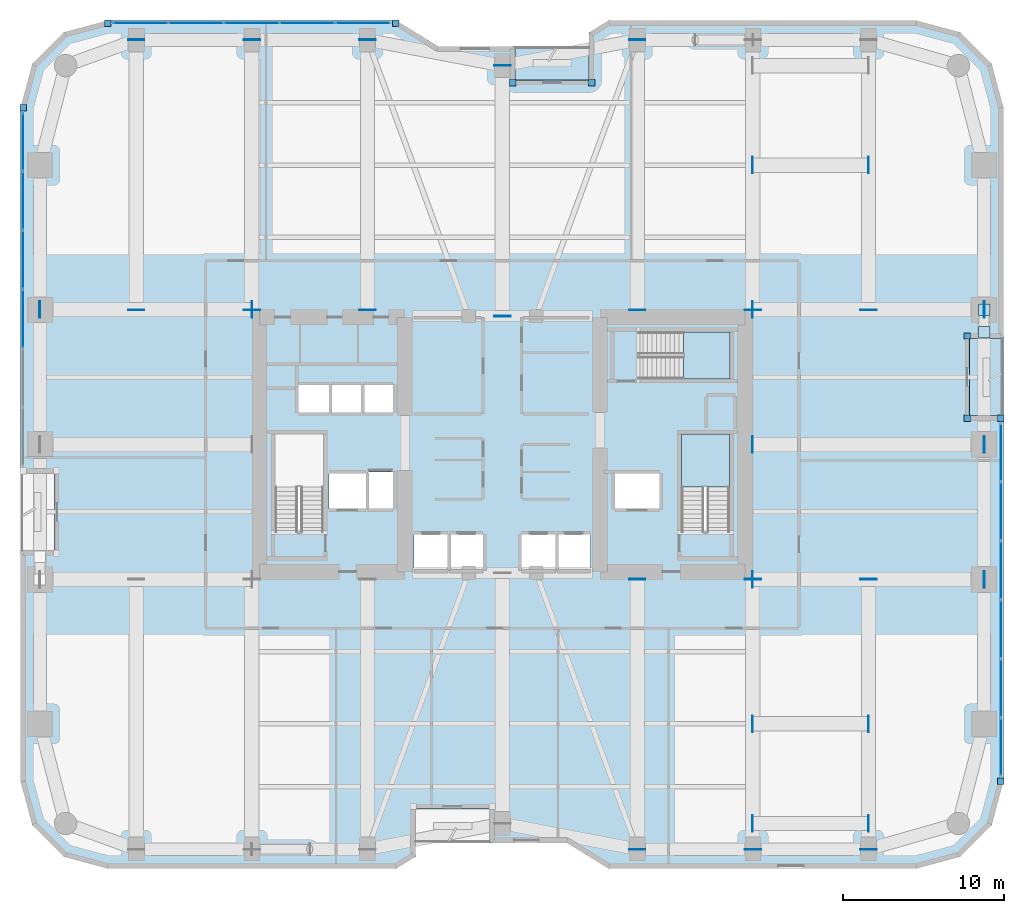
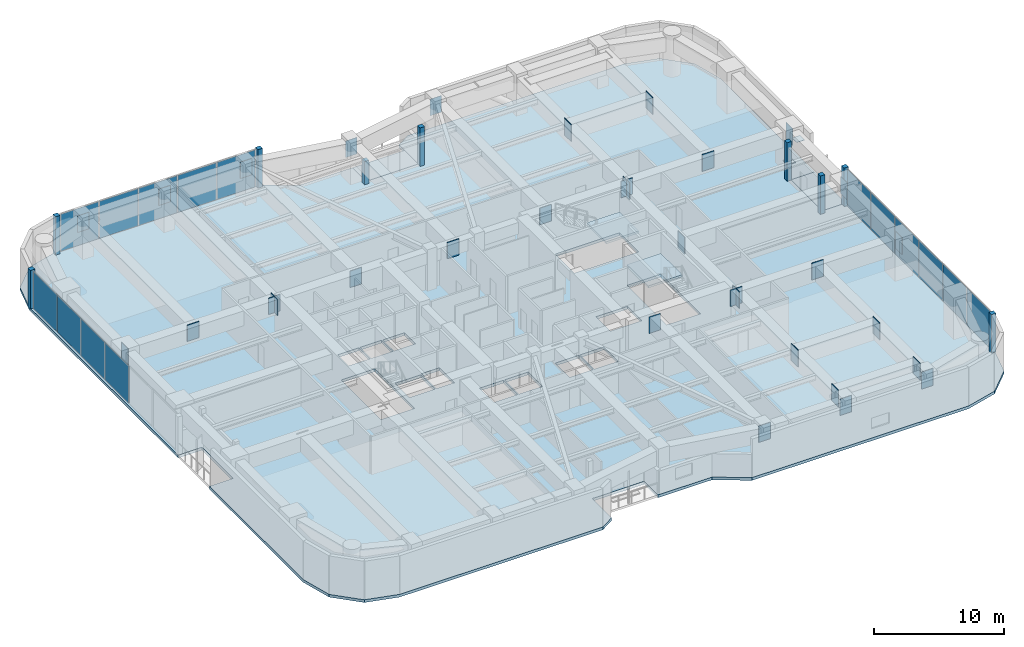
# One storey, part 20 of 28: 58 plates, 5 slabs, 5 elements without a shape of their own.
"""IFC4 building model written with IfcOpenShell, lengths in metres."""

import ifcopenshell
import ifcopenshell.guid

model = None  # the IFC model being written
_history = None  # IfcOwnerHistory: only IFC2X3 demands one
_inside = {}  # id of a spatial element -> (the spatial element, [elements in it])
_under = {}  # id of a project, library or spatial element -> (it, [spatial elements below it])
_declared = {}  # id of a project -> (the project, [libraries it declares])
_typed = {}  # id of a type object -> (the type object, [elements of that type])
_made_of = {}  # id of a material, layer set ... -> (it, [elements and type objects made of it])


def new_model(schema):
    """Start an empty IFC model of exactly this schema.

    Asked for "IFC4X3", IfcOpenShell would pick the latest addendum, in which some entities
    have other attributes; the version numbers below select the first issue.
    IFC2X3 requires an IfcOwnerHistory on every rooted entity: one is made here for all.
    """
    global model, _history
    if schema == "IFC4X3":
        model = ifcopenshell.file(schema_version=(4, 3, 0, 0))
    else:
        model = ifcopenshell.file(schema=schema)
    _inside.clear()
    _under.clear()
    _declared.clear()
    _typed.clear()
    _made_of.clear()
    _history = None
    if model.schema == "IFC2X3":
        org = make("IfcOrganization", Name="unknown")
        user = make(
            "IfcPersonAndOrganization",
            ThePerson=make("IfcPerson", FamilyName="unknown"),
            TheOrganization=org,
        )
        app = make(
            "IfcApplication",
            ApplicationDeveloper=org,
            Version="unknown",
            ApplicationFullName="unknown",
            ApplicationIdentifier="unknown",
        )
        _history = make(
            "IfcOwnerHistory",
            OwningUser=user,
            OwningApplication=app,
            ChangeAction="ADDED",
            CreationDate=0,
        )
    return model


def make(cls, **values):
    """One entity of the class cls with the attributes given. An attribute that is None is left unset."""
    return model.create_entity(
        cls, **{name: value for name, value in values.items() if value is not None}
    )


def rooted(cls, **values):
    """An entity with a GlobalId (a new one), such as an element, a storey or a relation."""
    return make(cls, GlobalId=ifcopenshell.guid.new(), OwnerHistory=_history, **values)


def si_unit(unit_type, name, prefix=None):
    """IfcSIUnit, for example si_unit("LENGTHUNIT", "METRE", prefix="MILLI")."""
    return make("IfcSIUnit", UnitType=unit_type, Prefix=prefix, Name=name)


def assignment(units):
    """IfcUnitAssignment: the units of a project."""
    return None if units is None else make("IfcUnitAssignment", Units=units)


def point(xyz):
    """IfcCartesianPoint."""
    return None if xyz is None else make("IfcCartesianPoint", Coordinates=xyz)


def direction(xyz):
    """IfcDirection."""
    return None if xyz is None else make("IfcDirection", DirectionRatios=xyz)


def frame(location, z_axis=None, x_axis=None):
    """IfcAxis2Placement3D, a coordinate frame: its origin and axes. An axis left out is left unset."""
    return make(
        "IfcAxis2Placement3D",
        Location=point(location),
        Axis=direction(z_axis),
        RefDirection=direction(x_axis),
    )


def frame_2d(location, x_axis=None):
    """IfcAxis2Placement2D, a coordinate frame in the plane: its origin and x axis."""
    return make(
        "IfcAxis2Placement2D", Location=point(location), RefDirection=direction(x_axis)
    )


def origin():
    """The frame at (0, 0, 0) with its axes left unset."""
    return frame((0.0, 0.0, 0.0))


def origin_2d():
    """The frame at (0, 0) in the plane with its x axis left unset."""
    return frame_2d((0.0, 0.0))


def place(relative_to, where):
    """IfcLocalPlacement: puts the frame where relative to a parent placement (None: the world)."""
    return make(
        "IfcLocalPlacement", PlacementRelTo=relative_to, RelativePlacement=where
    )


def context(
    kind, dimensions, precision=None, world=None, true_north=None, identifier=None
):
    """IfcGeometricRepresentationContext, for example the 3D "Model" context."""
    return make(
        "IfcGeometricRepresentationContext",
        ContextIdentifier=identifier,
        ContextType=kind,
        CoordinateSpaceDimension=dimensions,
        Precision=precision,
        WorldCoordinateSystem=world,
        TrueNorth=true_north,
    )


def subcontext(parent, identifier, kind, view, scale=None):
    """IfcGeometricRepresentationSubContext, for example "Body" below "Model"."""
    return make(
        "IfcGeometricRepresentationSubContext",
        ContextIdentifier=identifier,
        ContextType=kind,
        ParentContext=parent,
        TargetScale=scale,
        TargetView=view,
    )


def project(units=None, contexts=None):
    """IfcProject with its units and contexts."""
    return rooted(
        "IfcProject",
        Name="project",
        RepresentationContexts=contexts,
        UnitsInContext=assignment(units),
    )


def spatial(cls, under=None, at=None, **own):
    """A site, building, storey or space (cls), placed at a placement, below another one or the project."""
    s = rooted(cls, ObjectPlacement=at, **own)
    if under is not None:
        _under.setdefault(under.id(), (under, []))[1].append(s)
    return s


def polyline(points):
    """IfcPolyline through the points."""
    return make("IfcPolyline", Points=[point(p) for p in points])


def profile(cls, at=None, kind="AREA", **sizes):
    """A parametric profile (cls). Its sizes go by their IFC names, for example OverallWidth=200.0."""
    return make(cls, ProfileType=kind, Position=at, **sizes)


def rectangle(**sizes):
    """IfcRectangleProfileDef."""
    return profile("IfcRectangleProfileDef", **sizes)


def outline(outer, holes=None, kind="AREA"):
    """IfcArbitraryClosedProfileDef: a profile drawn as a closed curve; with holes, ...WithVoids."""
    if holes is None:
        return make("IfcArbitraryClosedProfileDef", ProfileType=kind, OuterCurve=outer)
    return make(
        "IfcArbitraryProfileDefWithVoids",
        ProfileType=kind,
        OuterCurve=outer,
        InnerCurves=holes,
    )


def extrude(swept, where, along, depth):
    """IfcExtrudedAreaSolid: the profile swept, set in the frame where, extruded along a direction by depth."""
    return make(
        "IfcExtrudedAreaSolid",
        SweptArea=swept,
        Position=where,
        ExtrudedDirection=direction(along),
        Depth=depth,
    )


def shape(context_of_items, identifier, shape_type, items):
    """IfcShapeRepresentation: the items that make up one representation, for example the "Body"."""
    return make(
        "IfcShapeRepresentation",
        ContextOfItems=context_of_items,
        RepresentationIdentifier=identifier,
        RepresentationType=shape_type,
        Items=items,
    )


def material(Name=None, Category=None):
    """IfcMaterial."""
    return make("IfcMaterial", Name=Name, Category=Category)


def layer(
    of_material, thickness, ventilated=None, Name=None, Category=None, Priority=None
):
    """IfcMaterialLayer: one layer of a wall or slab, of a material (None: an air gap)."""
    return make(
        "IfcMaterialLayer",
        Material=of_material,
        LayerThickness=thickness,
        IsVentilated=ventilated,
        Name=Name,
        Category=Category,
        Priority=Priority,
    )


def layer_set(layers, Name=None):
    """IfcMaterialLayerSet."""
    return make("IfcMaterialLayerSet", MaterialLayers=layers, LayerSetName=Name)


def made_of(thing, what):
    """Note that an element or type object is made of a material, layer set ...; save() writes the relation."""
    if what is not None:
        _made_of.setdefault(what.id(), (what, []))[1].append(thing)
    return thing


def type_object(cls, material=None, **own):
    """A type object (cls), such as IfcWallType, which elements share."""
    return made_of(rooted(cls, **own), material)


def element(
    cls,
    number,
    at=None,
    inside=None,
    cuts=None,
    type_object=None,
    material=None,
    context=None,
    identifier="Body",
    shape_type=None,
    held_by="IfcProductDefinitionShape",
    body=None,
    shapes=None,
    **own,
):
    """One element of the class cls, such as IfcWall. Its Tag is "e" and its number.

    at: its placement. inside: the storey or other place that contains it. cuts: it is an
    opening in that element (IfcRelVoidsElement). A single representation is given by context,
    identifier, shape_type and body (its items); several are given by shapes. held_by: the class
    of the entity that holds the representations. save() writes the other relations.
    """
    e = rooted(cls, Tag="e%d" % number, ObjectPlacement=at, **own)
    if body is not None:
        shapes = [shape(context, identifier, shape_type, body)]
    if shapes is not None:
        e.Representation = make(held_by, Representations=shapes)
    if inside is not None:
        _inside.setdefault(inside.id(), (inside, []))[1].append(e)
    if cuts is not None:
        rooted(
            "IfcRelVoidsElement", RelatingBuildingElement=cuts, RelatedOpeningElement=e
        )
    if type_object is not None:
        _typed.setdefault(type_object.id(), (type_object, []))[1].append(e)
    return made_of(e, material)


def aggregate(whole, parts):
    """IfcRelAggregates: a whole, such as a stair, and the parts it consists of."""
    return rooted("IfcRelAggregates", RelatingObject=whole, RelatedObjects=parts)


def save(model, path):
    """Write the relations noted so far, then the file.

    IfcRelAggregates (storeys below a building ...), IfcRelContainedInSpatialStructure (elements
    in a storey), IfcRelDefinesByType, IfcRelAssociatesMaterial and IfcRelDeclares: one each for
    every whole, place, type object, material and project.
    """
    for whole, parts in _under.values():
        aggregate(whole, parts)
    for where, things in _inside.values():
        rooted(
            "IfcRelContainedInSpatialStructure",
            RelatedElements=things,
            RelatingStructure=where,
        )
    for kind, things in _typed.values():
        rooted("IfcRelDefinesByType", RelatedObjects=things, RelatingType=kind)
    for what, things in _made_of.values():
        rooted("IfcRelAssociatesMaterial", RelatedObjects=things, RelatingMaterial=what)
    for by, libraries in _declared.values():
        rooted("IfcRelDeclares", RelatingContext=by, RelatedDefinitions=libraries)
    model.write(path)


model = new_model("IFC4")

# Units and contexts
model_context = context("Model", 3, precision=1e-05, world=origin(), true_north=direction((0.0, 1.0)))
body_context = subcontext(model_context, "Body", "Model", "MODEL_VIEW")
ifc_project = project(units=[si_unit("LENGTHUNIT", "METRE"), si_unit("AREAUNIT", "SQUARE_METRE"), si_unit("VOLUMEUNIT", "CUBIC_METRE"), si_unit("PLANEANGLEUNIT", "RADIAN"), si_unit("MASSUNIT", "GRAM", prefix="KILO")], contexts=[model_context])

# Site, building, storey
site_placement = place(None, origin())
site = spatial("IfcSite", under=ifc_project, at=site_placement, CompositionType="ELEMENT")
building_placement = place(site_placement, origin())
building = spatial("IfcBuilding", under=site, at=building_placement, Name="Kiyonajd Concourse Tower", CompositionType="ELEMENT")
storey_placement = place(building_placement, frame((0.0, 0.0, 76.800048828125)))
storey = spatial("IfcBuildingStorey", under=building, at=storey_placement, Name="L20", CompositionType="ELEMENT", Elevation=76.800048828125)

# Plates
ifc_material_1 = material(Name="Steel ASTM A572 Grade 50", Category="steel")
ifc_layer_1 = layer(ifc_material_1, 0.028076171875)
ifc_layer_set_1 = layer_set([ifc_layer_1], Name="Steel ASTM A572 Grade 50")
plate_type_1 = type_object("IfcPlateType", Name="PL-CAP-450", PredefinedType="USERDEFINED", material=ifc_layer_set_1)
for number, where, z_axis, x_axis, name in (
    (1, (78.0, 44.40478515625, 0.27587890625), (0.0, 0.0, 1.0), (1.0, 0.0, 0.0), "L20 Hollow Brace End Cap Plate PBE"),
    (2, (78.0, 42.995361328125, 3.24560546875), (0.0, 0.0, 1.0), (1.0, 0.0, 0.0), "L20 Hollow Brace Top Cap Plate PBE"),
):
    element("IfcPlate", number, at=place(storey_placement, frame(where, z_axis=z_axis, x_axis=x_axis)), inside=storey, type_object=plate_type_1, Name=name, ObjectType="CAP PLATE", PredefinedType="USERDEFINED", context=body_context, shape_type="SweptSolid", body=[
        extrude(rectangle(XDim=0.7099609375, YDim=0.7099609375, at=origin_2d()), origin(), (0.0, 0.0, 1.0), 0.028076171875),
    ])
ifc_layer_2 = layer(ifc_material_1, 0.031982421875)
ifc_layer_set_2 = layer_set([ifc_layer_2], Name="Steel ASTM A572 Grade 50")
plate_type_2 = type_object("IfcPlateType", Name="PL-CAP-540", PredefinedType="USERDEFINED", material=ifc_layer_set_2)
for number, where, z_axis, x_axis, name in (
    (3, (63.589111328125, 12.39990234375, 2.080078125), (0.0, 0.0, 1.0), (-1.0, 0.0, 0.0), "L20 Transfer Box Cap Plate"),
    (4, (70.81103515625, 12.39990234375, 2.080078125), (0.0, 0.0, 1.0), (1.0, 0.0, 0.0), "L20 Transfer Box Cap Plate"),
    (5, (63.589111328125, 18.60009765625, 2.080078125), (0.0, 0.0, 1.0), (-1.0, 0.0, 0.0), "L20 Transfer Box Cap Plate"),
    (6, (70.81103515625, 18.60009765625, 2.080078125), (0.0, 0.0, 1.0), (1.0, 0.0, 0.0), "L20 Transfer Box Cap Plate"),
    (7, (63.589111328125, 53.39990234375, 2.080078125), (0.0, 0.0, 1.0), (-1.0, 0.0, 0.0), "L20 Transfer Box Cap Plate"),
    (8, (70.81103515625, 53.39990234375, 2.080078125), (0.0, 0.0, 1.0), (1.0, 0.0, 0.0), "L20 Transfer Box Cap Plate"),
):
    element("IfcPlate", number, at=place(storey_placement, frame(where, z_axis=z_axis, x_axis=x_axis)), inside=storey, type_object=plate_type_2, Name=name, ObjectType="CAP PLATE", PredefinedType="USERDEFINED", context=body_context, shape_type="SweptSolid", body=[
        extrude(rectangle(XDim=0.035888671875, YDim=1.02001953125, at=origin_2d()), origin(), (0.0, 0.0, 1.0), 1.590087890625),
    ])
for number, where, z_axis, x_axis, name in (
    (9, (25.199951171875, 44.388916015625, 2.1298828125), (0.0, 0.0, 1.0), (0.0, -1.0, 0.0), "L20 Welded Box Girder End Cap"),
    (10, (25.199951171875, 61.2109375, 2.1298828125), (0.0, 0.0, 1.0), (0.0, 1.0, 0.0), "L20 Welded Box Girder End Cap"),
    (11, (32.39990234375, 44.388916015625, 2.1298828125), (0.0, 0.0, 1.0), (0.0, -1.0, 0.0), "L20 Welded Box Girder End Cap"),
    (12, (32.39990234375, 61.2109375, 2.1298828125), (0.0, 0.0, 1.0), (0.0, 1.0, 0.0), "L20 Welded Box Girder End Cap"),
    (13, (39.60009765625, 44.388916015625, 2.1298828125), (0.0, 0.0, 1.0), (0.0, -1.0, 0.0), "L20 Welded Box Girder End Cap"),
    (14, (39.60009765625, 61.2109375, 2.1298828125), (0.0, 0.0, 1.0), (0.0, 1.0, 0.0), "L20 Welded Box Girder End Cap"),
    (15, (56.39990234375, 10.7890625, 2.1298828125), (0.0, 0.0, 1.0), (0.0, -1.0, 0.0), "L20 Welded Box Girder End Cap"),
    (16, (56.39990234375, 27.611083984375, 2.1298828125), (0.0, 0.0, 1.0), (0.0, 1.0, 0.0), "L20 Welded Box Girder End Cap"),
    (17, (56.39990234375, 44.388916015625, 2.1298828125), (0.0, 0.0, 1.0), (0.0, -1.0, 0.0), "L20 Welded Box Girder End Cap"),
    (18, (56.39990234375, 61.2109375, 2.1298828125), (0.0, 0.0, 1.0), (0.0, 1.0, 0.0), "L20 Welded Box Girder End Cap"),
    (19, (63.60009765625, 10.7890625, 2.1298828125), (0.0, 0.0, 1.0), (0.0, -1.0, 0.0), "L20 Welded Box Girder End Cap"),
    (20, (63.60009765625, 27.611083984375, 2.1298828125), (0.0, 0.0, 1.0), (0.0, 1.0, 0.0), "L20 Welded Box Girder End Cap"),
    (21, (63.60009765625, 44.388916015625, 2.1298828125), (0.0, 0.0, 1.0), (0.0, -1.0, 0.0), "L20 Welded Box Girder End Cap"),
):
    element("IfcPlate", number, at=place(storey_placement, frame(where, z_axis=z_axis, x_axis=x_axis)), inside=storey, type_object=plate_type_2, Name=name, ObjectType="CAP PLATE", PredefinedType="USERDEFINED", context=body_context, shape_type="SweptSolid", body=[
        extrude(rectangle(XDim=0.035888671875, YDim=1.02001953125, at=origin_2d()), origin(), (0.0, 0.0, 1.0), 1.5400390625),
    ])
for number, where, z_axis, x_axis, name in (
    (22, (70.800048828125, 10.7890625, 2.080078125), (0.0, 0.0, 1.0), (0.0, -1.0, 0.0), "L20 Welded Box Girder End Cap"),
    (23, (70.800048828125, 27.611083984375, 2.080078125), (0.0, 0.0, 1.0), (0.0, 1.0, 0.0), "L20 Welded Box Girder End Cap"),
    (24, (70.800048828125, 44.388916015625, 2.080078125), (0.0, 0.0, 1.0), (0.0, -1.0, 0.0), "L20 Welded Box Girder End Cap"),
):
    element("IfcPlate", number, at=place(storey_placement, frame(where, z_axis=z_axis, x_axis=x_axis)), inside=storey, type_object=plate_type_2, Name=name, ObjectType="CAP PLATE", PredefinedType="USERDEFINED", context=body_context, shape_type="SweptSolid", body=[
        extrude(rectangle(XDim=0.035888671875, YDim=1.02001953125, at=origin_2d()), origin(), (0.0, 0.0, 1.0), 1.590087890625),
    ])
for number, where, z_axis, x_axis, name in (
    (25, (48.0, 43.989013671875, 2.1298828125), (0.0, 0.0, 1.0), (0.0, -1.0, 0.0), "L20 Welded Box Girder End Cap"),
    (26, (48.0, 59.611083984375, 2.1298828125), (0.0, 0.0, 1.0), (0.0, 1.0, 0.0), "L20 Welded Box Girder End Cap"),
):
    element("IfcPlate", number, at=place(storey_placement, frame(where, z_axis=z_axis, x_axis=x_axis)), inside=storey, type_object=plate_type_2, Name=name, ObjectType="CAP PLATE", PredefinedType="USERDEFINED", context=body_context, shape_type="SweptSolid", body=[
        extrude(rectangle(XDim=0.035888671875, YDim=1.02001953125, at=origin_2d()), origin(), (0.0, 0.0, 1.0), 1.5400390625),
    ])
for number, where, z_axis, x_axis, name in (
    (27, (63.589111328125, 27.60009765625, 2.080078125), (0.0, 0.0, 1.0), (-1.0, 0.0, 0.0), "L20 Welded Box Girder End Cap"),
    (28, (78.010986328125, 27.60009765625, 2.080078125), (0.0, 0.0, 1.0), (1.0, 0.0, 0.0), "L20 Welded Box Girder End Cap"),
    (29, (63.589111328125, 36.0, 2.080078125), (0.0, 0.0, 1.0), (-1.0, 0.0, 0.0), "L20 Welded Box Girder End Cap"),
    (30, (78.010986328125, 36.0, 2.080078125), (0.0, 0.0, 1.0), (1.0, 0.0, 0.0), "L20 Welded Box Girder End Cap"),
):
    element("IfcPlate", number, at=place(storey_placement, frame(where, z_axis=z_axis, x_axis=x_axis)), inside=storey, type_object=plate_type_2, Name=name, ObjectType="CAP PLATE", PredefinedType="USERDEFINED", context=body_context, shape_type="SweptSolid", body=[
        extrude(rectangle(XDim=0.035888671875, YDim=1.02001953125, at=origin_2d()), origin(), (0.0, 0.0, 1.0), 1.590087890625),
    ])
for number, where, z_axis, x_axis, name in (
    (31, (19.18896484375, 44.39990234375, 2.1298828125), (0.0, 0.0, 1.0), (-1.0, 0.0, 0.0), "L20 Welded Box Girder End Cap"),
    (32, (32.410888671875, 44.39990234375, 2.1298828125), (0.0, 0.0, 1.0), (1.0, 0.0, 0.0), "L20 Welded Box Girder End Cap"),
):
    element("IfcPlate", number, at=place(storey_placement, frame(where, z_axis=z_axis, x_axis=x_axis)), inside=storey, type_object=plate_type_2, Name=name, ObjectType="CAP PLATE", PredefinedType="USERDEFINED", context=body_context, shape_type="SweptSolid", body=[
        extrude(rectangle(XDim=0.035888671875, YDim=1.02001953125, at=origin_2d()), origin(), (0.0, 0.0, 1.0), 1.5400390625),
    ])
for number, where, z_axis, x_axis, name in (
    (33, (63.589111328125, 44.39990234375, 2.080078125), (0.0, 0.0, 1.0), (-1.0, 0.0, 0.0), "L20 Welded Box Girder End Cap"),
    (34, (78.010986328125, 44.39990234375, 2.080078125), (0.0, 0.0, 1.0), (1.0, 0.0, 0.0), "L20 Welded Box Girder End Cap"),
):
    element("IfcPlate", number, at=place(storey_placement, frame(where, z_axis=z_axis, x_axis=x_axis)), inside=storey, type_object=plate_type_2, Name=name, ObjectType="CAP PLATE", PredefinedType="USERDEFINED", context=body_context, shape_type="SweptSolid", body=[
        extrude(rectangle(XDim=0.035888671875, YDim=1.02001953125, at=origin_2d()), origin(), (0.0, 0.0, 1.0), 1.590087890625),
    ])

# Curtain wall, plates
ifc_material_2 = material(Name="Thermally Broken Anodised Aluminium", Category="aluminium")
ifc_layer_3 = layer(ifc_material_2, 0.179931640625)
ifc_layer_set_3 = layer_set([ifc_layer_3], Name="Thermally Broken Anodised Aluminium")
curtain_wall_type = type_object("IfcCurtainWallType", Name="CW-SYS-02", PredefinedType="NOTDEFINED", material=ifc_layer_set_3)
curtain_wall_1_placement = place(storey_placement, origin())
curtain_wall_1 = element("IfcCurtainWall", 35, at=curtain_wall_1_placement, inside=storey, type_object=curtain_wall_type, Name="L20 Unitised Curtain Wall CW2", PredefinedType="NOTDEFINED")
ifc_material_3 = material(Name="Double Low-E Insulated Glass", Category="glass")
ifc_layer_4 = layer(ifc_material_3, 0.028076171875)
ifc_layer_set_4 = layer_set([ifc_layer_4], Name="Double Low-E Insulated Glass")
plate_type_3 = type_object("IfcPlateType", Name="PL-CW-VIS28", PredefinedType="CURTAIN_PANEL", material=ifc_layer_set_4)
plate_1_placement = place(storey_placement, frame((18.159912109375, 43.832763671875, 0.06494140625), z_axis=(0.0, 0.0, 1.0), x_axis=(0.0, 1.0, 0.0)))
plate_1 = element("IfcPlate", 36, at=plate_1_placement, type_object=plate_type_3, Name="CW2 panel 3.1", PredefinedType="CURTAIN_PANEL", context=body_context, shape_type="SweptSolid", body=[
    extrude(rectangle(XDim=3.608154296875, YDim=0.028076171875, at=origin_2d()), origin(), (0.0, 0.0, 1.0), 3.469970703125),
])
plate_2_placement = place(storey_placement, frame((18.159912109375, 47.506103515625, 0.06494140625), z_axis=(0.0, 0.0, 1.0), x_axis=(0.0, 1.0, 0.0)))
plate_2 = element("IfcPlate", 37, at=plate_2_placement, type_object=plate_type_3, Name="CW2 panel 4.1", PredefinedType="CURTAIN_PANEL", context=body_context, shape_type="SweptSolid", body=[
    extrude(rectangle(XDim=3.608154296875, YDim=0.028076171875, at=origin_2d()), origin(), (0.0, 0.0, 1.0), 3.469970703125),
])
plate_3_placement = place(storey_placement, frame((18.159912109375, 51.17919921875, 0.06494140625), z_axis=(0.0, 0.0, 1.0), x_axis=(0.0, 1.0, 0.0)))
plate_3 = element("IfcPlate", 38, at=plate_3_placement, type_object=plate_type_3, Name="CW2 panel 5.1", PredefinedType="CURTAIN_PANEL", context=body_context, shape_type="SweptSolid", body=[
    extrude(rectangle(XDim=3.608154296875, YDim=0.028076171875, at=origin_2d()), origin(), (0.0, 0.0, 1.0), 3.469970703125),
])
plate_4_placement = place(storey_placement, frame((18.159912109375, 54.836181640625, 0.06494140625), z_axis=(0.0, 0.0, 1.0), x_axis=(0.0, 1.0, 0.0)))
plate_4 = element("IfcPlate", 39, at=plate_4_placement, type_object=plate_type_3, Name="CW2 panel 6.1", PredefinedType="CURTAIN_PANEL", context=body_context, shape_type="SweptSolid", body=[
    extrude(rectangle(XDim=3.57568359375, YDim=0.028076171875, at=origin_2d()), origin(), (0.0, 0.0, 1.0), 3.469970703125),
])
aggregate(curtain_wall_1, [plate_1, plate_2, plate_3, plate_4])

curtain_wall_2_placement = place(storey_placement, origin())
curtain_wall_2 = element("IfcCurtainWall", 40, at=curtain_wall_2_placement, inside=storey, type_object=curtain_wall_type, Name="L20 Unitised Curtain Wall CW2", PredefinedType="NOTDEFINED")
plate_5_placement = place(storey_placement, frame((25.462646484375, 62.239990234375, 0.06494140625), z_axis=(0.0, 0.0, 1.0), x_axis=(1.0, 0.0, 0.0)))
plate_5 = element("IfcPlate", 41, at=plate_5_placement, type_object=plate_type_3, Name="CW2 panel 1.1", PredefinedType="CURTAIN_PANEL", context=body_context, shape_type="SweptSolid", body=[
    extrude(rectangle(XDim=3.373291015625, YDim=0.028076171875, at=origin_2d()), origin(), (0.0, 0.0, 1.0), 3.469970703125),
])
plate_6_placement = place(storey_placement, frame((28.917236328125, 62.239990234375, 0.06494140625), z_axis=(0.0, 0.0, 1.0), x_axis=(1.0, 0.0, 0.0)))
plate_6 = element("IfcPlate", 42, at=plate_6_placement, type_object=plate_type_3, Name="CW2 panel 2.1", PredefinedType="CURTAIN_PANEL", context=body_context, shape_type="SweptSolid", body=[
    extrude(rectangle(XDim=3.40576171875, YDim=0.028076171875, at=origin_2d()), origin(), (0.0, 0.0, 1.0), 3.469970703125),
])
plate_7_placement = place(storey_placement, frame((32.387939453125, 62.239990234375, 0.06494140625), z_axis=(0.0, 0.0, 1.0), x_axis=(1.0, 0.0, 0.0)))
plate_7 = element("IfcPlate", 43, at=plate_7_placement, type_object=plate_type_3, Name="CW2 panel 3.1", PredefinedType="CURTAIN_PANEL", context=body_context, shape_type="SweptSolid", body=[
    extrude(rectangle(XDim=3.40576171875, YDim=0.028076171875, at=origin_2d()), origin(), (0.0, 0.0, 1.0), 3.469970703125),
])
plate_8_placement = place(storey_placement, frame((35.858642578125, 62.239990234375, 0.06494140625), z_axis=(0.0, 0.0, 1.0), x_axis=(1.0, 0.0, 0.0)))
plate_8 = element("IfcPlate", 44, at=plate_8_placement, type_object=plate_type_3, Name="CW2 panel 4.1", PredefinedType="CURTAIN_PANEL", context=body_context, shape_type="SweptSolid", body=[
    extrude(rectangle(XDim=3.40576171875, YDim=0.028076171875, at=origin_2d()), origin(), (0.0, 0.0, 1.0), 3.469970703125),
])
plate_9_placement = place(storey_placement, frame((39.31298828125, 62.239990234375, 0.06494140625), z_axis=(0.0, 0.0, 1.0), x_axis=(1.0, 0.0, 0.0)))
plate_9 = element("IfcPlate", 45, at=plate_9_placement, type_object=plate_type_3, Name="CW2 panel 5.1", PredefinedType="CURTAIN_PANEL", context=body_context, shape_type="SweptSolid", body=[
    extrude(rectangle(XDim=3.373291015625, YDim=0.028076171875, at=origin_2d()), origin(), (0.0, 0.0, 1.0), 3.469970703125),
])
aggregate(curtain_wall_2, [plate_5, plate_6, plate_7, plate_8, plate_9])

curtain_wall_3_placement = place(storey_placement, origin())
curtain_wall_3 = element("IfcCurtainWall", 46, at=curtain_wall_3_placement, inside=storey, type_object=curtain_wall_type, Name="L20 Unitised Curtain Wall CW2", PredefinedType="NOTDEFINED")
plate_10_placement = place(storey_placement, frame((79.0400390625, 35.4970703125, 0.06494140625), z_axis=(0.0, 0.0, 1.0), x_axis=(0.0, -1.0, 0.0)))
plate_10 = element("IfcPlate", 47, at=plate_10_placement, type_object=plate_type_3, Name="CW2 panel 1.1", PredefinedType="CURTAIN_PANEL", context=body_context, shape_type="SweptSolid", body=[
    extrude(rectangle(XDim=3.57568359375, YDim=0.028076171875, at=origin_2d()), origin(), (0.0, 0.0, 1.0), 3.469970703125),
])
plate_11_placement = place(storey_placement, frame((79.0400390625, 31.84033203125, 0.06494140625), z_axis=(0.0, 0.0, 1.0), x_axis=(0.0, -1.0, 0.0)))
plate_11 = element("IfcPlate", 48, at=plate_11_placement, type_object=plate_type_3, Name="CW2 panel 2.1", PredefinedType="CURTAIN_PANEL", context=body_context, shape_type="SweptSolid", body=[
    extrude(rectangle(XDim=3.608154296875, YDim=0.028076171875, at=origin_2d()), origin(), (0.0, 0.0, 1.0), 3.469970703125),
])
plate_12_placement = place(storey_placement, frame((79.0400390625, 28.167236328125, 0.06494140625), z_axis=(0.0, 0.0, 1.0), x_axis=(0.0, -1.0, 0.0)))
plate_12 = element("IfcPlate", 49, at=plate_12_placement, type_object=plate_type_3, Name="CW2 panel 3.1", PredefinedType="CURTAIN_PANEL", context=body_context, shape_type="SweptSolid", body=[
    extrude(rectangle(XDim=3.608154296875, YDim=0.028076171875, at=origin_2d()), origin(), (0.0, 0.0, 1.0), 3.469970703125),
])
plate_13_placement = place(storey_placement, frame((79.0400390625, 24.493896484375, 0.06494140625), z_axis=(0.0, 0.0, 1.0), x_axis=(0.0, -1.0, 0.0)))
plate_13 = element("IfcPlate", 50, at=plate_13_placement, type_object=plate_type_3, Name="CW2 panel 4.1", PredefinedType="CURTAIN_PANEL", context=body_context, shape_type="SweptSolid", body=[
    extrude(rectangle(XDim=3.608154296875, YDim=0.028076171875, at=origin_2d()), origin(), (0.0, 0.0, 1.0), 3.469970703125),
])
plate_14_placement = place(storey_placement, frame((79.0400390625, 20.82080078125, 0.06494140625), z_axis=(0.0, 0.0, 1.0), x_axis=(0.0, -1.0, 0.0)))
plate_14 = element("IfcPlate", 51, at=plate_14_placement, type_object=plate_type_3, Name="CW2 panel 5.1", PredefinedType="CURTAIN_PANEL", context=body_context, shape_type="SweptSolid", body=[
    extrude(rectangle(XDim=3.608154296875, YDim=0.028076171875, at=origin_2d()), origin(), (0.0, 0.0, 1.0), 3.469970703125),
])
plate_15_placement = place(storey_placement, frame((79.0400390625, 17.163818359375, 0.06494140625), z_axis=(0.0, 0.0, 1.0), x_axis=(0.0, -1.0, 0.0)))
plate_15 = element("IfcPlate", 52, at=plate_15_placement, type_object=plate_type_3, Name="CW2 panel 6.1", PredefinedType="CURTAIN_PANEL", context=body_context, shape_type="SweptSolid", body=[
    extrude(rectangle(XDim=3.57568359375, YDim=0.028076171875, at=origin_2d()), origin(), (0.0, 0.0, 1.0), 3.469970703125),
])
aggregate(curtain_wall_3, [plate_10, plate_11, plate_12, plate_13, plate_14, plate_15])

# Plates
ifc_layer_5 = layer(ifc_material_2, 0.39990234375)
ifc_layer_set_5 = layer_set([ifc_layer_5], Name="Thermally Broken Anodised Aluminium")
plate_type_4 = type_object("IfcPlateType", Name="PL-JMB-400", PredefinedType="USERDEFINED", material=ifc_layer_set_5)
for number, where, z_axis, x_axis, name in (
    (53, (18.159912109375, 56.97900390625, 0.0), (0.0, 0.0, 1.0), (1.0, 0.0, 0.0), "L20 Facade Jamb Closure Plate 04"),
    (54, (23.421142578125, 62.239990234375, 0.0), (0.0, 0.0, 1.0), (1.0, 0.0, 0.0), "L20 Facade Jamb Closure Plate 05"),
    (55, (41.354736328125, 62.239990234375, 0.0), (0.0, 0.0, 1.0), (1.0, 0.0, 0.0), "L20 Facade Jamb Closure Plate 06"),
):
    element("IfcPlate", number, at=place(storey_placement, frame(where, z_axis=z_axis, x_axis=x_axis)), inside=storey, type_object=plate_type_4, Name=name, ObjectType="JAMB PLATE", PredefinedType="USERDEFINED", context=body_context, shape_type="SweptSolid", body=[
        extrude(rectangle(XDim=0.39990234375, YDim=0.39990234375, at=origin_2d()), origin(), (0.0, 0.0, 1.0), 3.60009765625),
    ])
plate_16_placement = place(storey_placement, frame((48.639892578125, 58.5400390625, 0.0), z_axis=(0.0, 0.0, 1.0), x_axis=(1.0, 0.0, 0.0)))
element("IfcPlate", 56, at=plate_16_placement, inside=storey, type_object=plate_type_4, Name="L20 Facade Jamb Closure Plate 07", ObjectType="JAMB PLATE", PredefinedType="USERDEFINED", context=body_context, shape_type="SweptSolid", body=[
    extrude(rectangle(XDim=0.39990234375, YDim=0.39990234375, at=origin_2d()), origin(), (0.0, 0.0, 1.0), 2.18505859375),
])
for number, where, z_axis, x_axis, name in (
    (57, (53.56005859375, 58.5400390625, 0.0), (0.0, 0.0, 1.0), (1.0, 0.0, 0.0), "L20 Facade Jamb Closure Plate 08"),
    (58, (76.93994140625, 42.760009765625, 0.0), (0.0, 0.0, 1.0), (1.0, 0.0, 0.0), "L20 Facade Jamb Closure Plate 09"),
    (59, (76.93994140625, 37.639892578125, 0.0), (0.0, 0.0, 1.0), (1.0, 0.0, 0.0), "L20 Facade Jamb Closure Plate 10"),
    (60, (79.0400390625, 37.639892578125, 0.0), (0.0, 0.0, 1.0), (1.0, 0.0, 0.0), "L20 Facade Jamb Closure Plate 11"),
    (61, (79.0400390625, 15.02099609375, 0.0), (0.0, 0.0, 1.0), (1.0, 0.0, 0.0), "L20 Facade Jamb Closure Plate 12"),
):
    element("IfcPlate", number, at=place(storey_placement, frame(where, z_axis=z_axis, x_axis=x_axis)), inside=storey, type_object=plate_type_4, Name=name, ObjectType="JAMB PLATE", PredefinedType="USERDEFINED", context=body_context, shape_type="SweptSolid", body=[
        extrude(rectangle(XDim=0.39990234375, YDim=0.39990234375, at=origin_2d()), origin(), (0.0, 0.0, 1.0), 3.60009765625),
    ])

# Stair, slab
ifc_material_4 = material(Name="Concrete C40/50", Category="concrete")
stair_type = type_object("IfcStairType", Name="ST-DLG-22R", PredefinedType="HALF_TURN_STAIR", material=ifc_material_4)
stair_1_placement = place(storey_placement, origin())
stair_1 = element("IfcStair", 62, at=stair_1_placement, inside=storey, type_object=stair_type, Name="L20 Protected Exit Stair ST2", PredefinedType="HALF_TURN_STAIR")
ifc_layer_6 = layer(ifc_material_4, 0.199951171875)
ifc_layer_set_6 = layer_set([ifc_layer_6], Name="Concrete C40/50")
slab_type_1 = type_object("IfcSlabType", Name="SL-LND-200", PredefinedType="LANDING", material=ifc_layer_set_6)
slab_1_placement = place(storey_placement, frame((0.0, 0.0, 1.75)))
slab_1 = element("IfcSlab", 63, at=slab_1_placement, type_object=slab_type_1, Name="ST2 landing 1", PredefinedType="LANDING", context=body_context, shape_type="SweptSolid", body=[
    extrude(outline(polyline([(62.14990234375, 33.35009765625), (62.14990234375, 36.64990234375), (59.14990234375, 36.64990234375), (59.14990234375, 33.35009765625), (62.14990234375, 33.35009765625)])), origin(), (0.0, 0.0, 1.0), 0.199951171875),
])
aggregate(stair_1, [slab_1])

stair_2_placement = place(storey_placement, origin())
stair_2 = element("IfcStair", 64, at=stair_2_placement, inside=storey, type_object=stair_type, Name="L20 Protected Exit Stair ST3", PredefinedType="HALF_TURN_STAIR")
slab_2_placement = place(storey_placement, frame((0.0, 0.0, 1.75)))
slab_2 = element("IfcSlab", 65, at=slab_2_placement, type_object=slab_type_1, Name="ST3 landing 1", PredefinedType="LANDING", context=body_context, shape_type="SweptSolid", body=[
    extrude(outline(polyline([(59.280029296875, 40.080078125), (62.179931640625, 40.080078125), (62.179931640625, 43.02001953125), (59.280029296875, 43.02001953125), (59.280029296875, 40.080078125)])), origin(), (0.0, 0.0, 1.0), 0.199951171875),
])
aggregate(stair_2, [slab_2])

# Slabs
ifc_material_5 = material(Name="Precast concrete C50/60", Category="concrete")
ifc_layer_7 = layer(ifc_material_5, 0.199951171875)
ifc_layer_set_7 = layer_set([ifc_layer_7], Name="Precast concrete C50/60")
slab_type_2 = type_object("IfcSlabType", Name="SL-LOG-200", PredefinedType="FLOOR", material=ifc_layer_set_7)
slab_3_placement = place(storey_placement, frame((0.0, 0.0, -0.199951171875)))
element("IfcSlab", 66, at=slab_3_placement, inside=storey, type_object=slab_type_2, Name="L20 Recessed Engawa Loggia Terrace Slab LOG-N", PredefinedType="FLOOR", context=body_context, shape_type="SweptSolid", body=[
    extrude(outline(polyline([(48.800048828125, 58.699951171875), (53.39990234375, 58.699951171875), (53.39990234375, 60.800048828125), (48.800048828125, 60.800048828125), (48.800048828125, 58.699951171875)])), origin(), (0.0, 0.0, 1.0), 0.199951171875),
])
slab_4_placement = place(storey_placement, frame((0.0, 0.0, -0.199951171875)))
element("IfcSlab", 67, at=slab_4_placement, inside=storey, type_object=slab_type_2, Name="L20 Recessed Engawa Loggia Terrace Slab LOG-E", PredefinedType="FLOOR", context=body_context, shape_type="SweptSolid", body=[
    extrude(outline(polyline([(77.10009765625, 37.800048828125), (79.199951171875, 37.800048828125), (79.199951171875, 42.60009765625), (77.10009765625, 42.60009765625), (77.10009765625, 37.800048828125)])), origin(), (0.0, 0.0, 1.0), 0.199951171875),
])
ifc_layer_8 = layer(ifc_material_4, 0.260009765625)
ifc_layer_set_8 = layer_set([ifc_layer_8], Name="Concrete C40/50")
slab_type_3 = type_object("IfcSlabType", Name="SL-TWR-260", PredefinedType="FLOOR", material=ifc_layer_set_8)
slab_5_placement = place(storey_placement, frame((0.0, 0.0, -0.260009765625)))
element("IfcSlab", 68, at=slab_5_placement, inside=storey, type_object=slab_type_3, Name="L20 Tower Conditioned Floor Slab", PredefinedType="FLOOR", context=body_context, shape_type="SweptSolid", body=[
    extrude(outline(polyline([(18.722900390625, 12.300048828125), (18.0, 15.0), (18.0, 29.39990234375), (20.10009765625, 29.39990234375), (20.10009765625, 34.199951171875), (18.0, 34.199951171875), (18.0, 57.0), (18.722900390625, 59.699951171875), (20.699951171875, 61.677001953125), (23.39990234375, 62.39990234375), (41.39990234375, 62.39990234375), (44.0, 60.800048828125), (48.800048828125, 60.800048828125), (48.800048828125, 58.699951171875), (53.39990234375, 58.699951171875), (53.39990234375, 61.662109375), (54.60009765625, 62.39990234375), (73.800048828125, 62.39990234375), (76.5, 61.677001953125), (78.47705078125, 59.699951171875), (79.199951171875, 57.0), (79.199951171875, 42.60009765625), (77.10009765625, 42.60009765625), (77.10009765625, 37.800048828125), (79.199951171875, 37.800048828125), (79.199951171875, 15.0), (78.47705078125, 12.300048828125), (76.5, 10.322998046875), (73.800048828125, 9.60009765625), (54.60009765625, 9.60009765625), (52.0, 11.199951171875), (47.199951171875, 11.199951171875), (47.199951171875, 13.300048828125), (42.60009765625, 13.300048828125), (42.60009765625, 10.337890625), (41.39990234375, 9.60009765625), (23.39990234375, 9.60009765625), (20.699951171875, 10.322998046875), (18.722900390625, 12.300048828125)]), holes=[polyline([(44.60009765625, 28.199951171875), (42.5, 28.199951171875), (42.5, 30.39990234375), (44.60009765625, 30.39990234375), (44.60009765625, 28.199951171875)]), polyline([(37.199951171875, 32.0), (37.199951171875, 34.199951171875), (39.5, 34.199951171875), (39.5, 32.0), (37.199951171875, 32.0)]), polyline([(39.60009765625, 32.0), (39.60009765625, 34.300048828125), (41.199951171875, 34.300048828125), (41.199951171875, 32.0), (39.60009765625, 32.0)]), polyline([(36.85009765625, 30.550048828125), (33.85009765625, 30.550048828125), (33.85009765625, 36.64990234375), (36.85009765625, 36.64990234375), (36.85009765625, 30.550048828125)]), polyline([(35.300048828125, 38.0), (35.300048828125, 39.699951171875), (37.199951171875, 39.699951171875), (37.199951171875, 38.0), (35.300048828125, 38.0)]), polyline([(37.300048828125, 38.0), (37.300048828125, 39.699951171875), (39.199951171875, 39.699951171875), (39.199951171875, 38.0), (37.300048828125, 38.0)]), polyline([(41.199951171875, 38.0), (39.300048828125, 38.0), (39.300048828125, 39.699951171875), (41.199951171875, 39.699951171875), (41.199951171875, 38.0)]), polyline([(44.699951171875, 28.199951171875), (44.699951171875, 30.39990234375), (46.800048828125, 30.39990234375), (46.800048828125, 28.199951171875), (44.699951171875, 28.199951171875)]), polyline([(49.199951171875, 28.199951171875), (49.199951171875, 30.39990234375), (51.300048828125, 30.39990234375), (51.300048828125, 28.199951171875), (49.199951171875, 28.199951171875)]), polyline([(51.39990234375, 28.199951171875), (51.39990234375, 30.39990234375), (53.5, 30.39990234375), (53.5, 28.199951171875), (51.39990234375, 28.199951171875)]), polyline([(55.0, 32.0), (55.0, 34.199951171875), (57.800048828125, 34.199951171875), (57.800048828125, 32.0), (55.0, 32.0)]), polyline([(59.14990234375, 30.550048828125), (59.14990234375, 36.64990234375), (62.14990234375, 36.64990234375), (62.14990234375, 30.550048828125), (59.14990234375, 30.550048828125)]), polyline([(56.47998046875, 43.02001953125), (62.179931640625, 43.02001953125), (62.179931640625, 40.080078125), (56.47998046875, 40.080078125), (56.47998046875, 43.02001953125)])]), origin(), (0.0, 0.0, 1.0), 0.260009765625),
])

save(model, "model.ifc")
